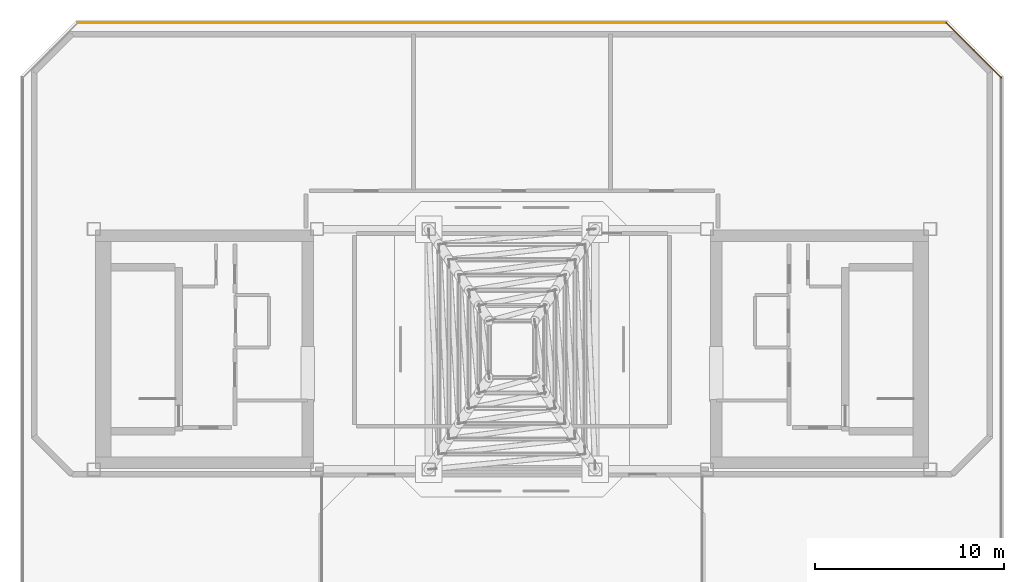
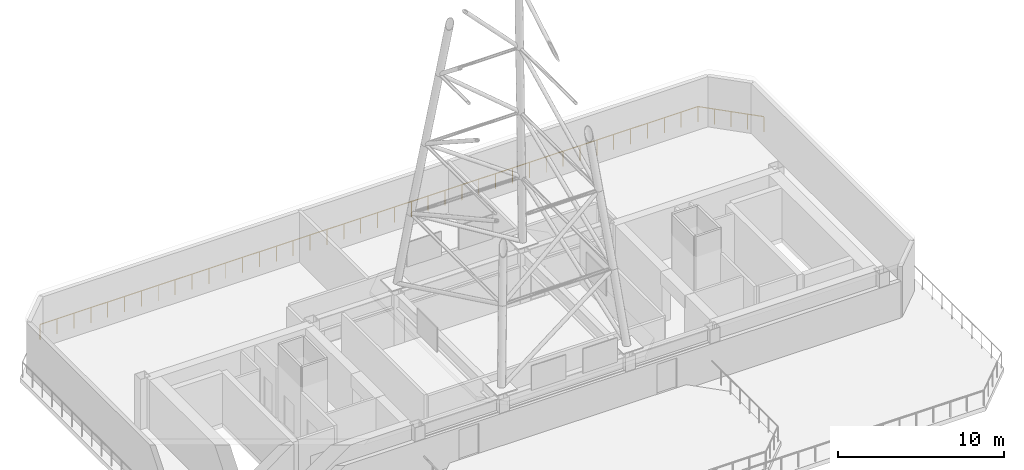
# One storey, part 7 of 7: 2 railings.
"""IFC4 building model written with IfcOpenShell, lengths in metres."""

from ifc_helpers import new_model, si_unit, direction, frame, origin, origin_2d, place, context, subcontext, project, spatial, rectangle, extrude, material, layer, layer_set, type_object, element, save


model = new_model("IFC4")

# Units and contexts
model_context = context("Model", 3, precision=1e-05, world=origin(), true_north=direction((0.0, 1.0)))
body_context = subcontext(model_context, "Body", "Model", "MODEL_VIEW")
ifc_project = project(units=[si_unit("LENGTHUNIT", "METRE"), si_unit("AREAUNIT", "SQUARE_METRE"), si_unit("VOLUMEUNIT", "CUBIC_METRE"), si_unit("PLANEANGLEUNIT", "RADIAN"), si_unit("MASSUNIT", "GRAM", prefix="KILO")], contexts=[model_context])

# Site, building, storey
site_placement = place(None, origin())
site = spatial("IfcSite", under=ifc_project, at=site_placement, CompositionType="ELEMENT")
building_placement = place(site_placement, origin())
building = spatial("IfcBuilding", under=site, at=building_placement, Name="Tavrogorsk Clinical Tower", CompositionType="ELEMENT")
storey_placement = place(building_placement, frame((0.0, 0.0, 357.0)))
storey = spatial("IfcBuildingStorey", under=building, at=storey_placement, Name="L83", CompositionType="ELEMENT", Elevation=357.0)

# Railings
ifc_material = material(Name="Galvanised steel S355 safety guardrail", Category="steel")
ifc_layer = layer(ifc_material, 0.080078125)
ifc_layer_set = layer_set([ifc_layer], Name="Galvanised steel S355 safety guardrail")
railing_type = type_object("IfcRailingType", Name="RoofEdgeGuardRailing_1150", PredefinedType="GUARDRAIL", material=ifc_layer_set)
railing_1_placement = place(storey_placement, frame((-22.94189453125, 17.260009765625, 0.0)))
element("IfcRailing", 1, at=railing_1_placement, inside=storey, type_object=railing_type, Name="L83 Helipad Terrace Perimeter Guard GD-02-04", PredefinedType="GUARDRAIL", context=body_context, shape_type="SweptSolid", body=[
    extrude(rectangle(XDim=0.048095703125, YDim=0.048095703125, at=origin_2d()), frame((0.0, 0.0, 1.1259765625), z_axis=(1.0, 0.0, 0.0), x_axis=(0.0, 1.0, 0.0)), (0.0, 0.0, 1.0), 45.8837890625),
    extrude(rectangle(XDim=0.0419921875, YDim=0.0419921875, at=origin_2d()), origin(), (0.0, 0.0, 1.0), 1.101806640625),
    extrude(rectangle(XDim=0.0419921875, YDim=0.0419921875, at=origin_2d()), frame((1.176513671875, 0.0, 0.0)), (0.0, 0.0, 1.0), 1.101806640625),
    extrude(rectangle(XDim=0.0419921875, YDim=0.0419921875, at=origin_2d()), frame((2.35302734375, 0.0, 0.0)), (0.0, 0.0, 1.0), 1.101806640625),
    extrude(rectangle(XDim=0.0419921875, YDim=0.0419921875, at=origin_2d()), frame((3.529541015625, 0.0, 0.0)), (0.0, 0.0, 1.0), 1.101806640625),
    extrude(rectangle(XDim=0.0419921875, YDim=0.0419921875, at=origin_2d()), frame((4.7060546875, 0.0, 0.0)), (0.0, 0.0, 1.0), 1.101806640625),
    extrude(rectangle(XDim=0.0419921875, YDim=0.0419921875, at=origin_2d()), frame((5.882568359375, 0.0, 0.0)), (0.0, 0.0, 1.0), 1.101806640625),
    extrude(rectangle(XDim=0.0419921875, YDim=0.0419921875, at=origin_2d()), frame((7.05908203125, 0.0, 0.0)), (0.0, 0.0, 1.0), 1.101806640625),
    extrude(rectangle(XDim=0.0419921875, YDim=0.0419921875, at=origin_2d()), frame((8.235595703125, 0.0, 0.0)), (0.0, 0.0, 1.0), 1.101806640625),
    extrude(rectangle(XDim=0.0419921875, YDim=0.0419921875, at=origin_2d()), frame((9.412109375, 0.0, 0.0)), (0.0, 0.0, 1.0), 1.101806640625),
    extrude(rectangle(XDim=0.0419921875, YDim=0.0419921875, at=origin_2d()), frame((10.588623046875, 0.0, 0.0)), (0.0, 0.0, 1.0), 1.101806640625),
    extrude(rectangle(XDim=0.0419921875, YDim=0.0419921875, at=origin_2d()), frame((11.76513671875, 0.0, 0.0)), (0.0, 0.0, 1.0), 1.101806640625),
    extrude(rectangle(XDim=0.0419921875, YDim=0.0419921875, at=origin_2d()), frame((12.941650390625, 0.0, 0.0)), (0.0, 0.0, 1.0), 1.101806640625),
    extrude(rectangle(XDim=0.0419921875, YDim=0.0419921875, at=origin_2d()), frame((14.1181640625, 0.0, 0.0)), (0.0, 0.0, 1.0), 1.101806640625),
    extrude(rectangle(XDim=0.0419921875, YDim=0.0419921875, at=origin_2d()), frame((15.294677734375, 0.0, 0.0)), (0.0, 0.0, 1.0), 1.101806640625),
    extrude(rectangle(XDim=0.0419921875, YDim=0.0419921875, at=origin_2d()), frame((16.47119140625, 0.0, 0.0)), (0.0, 0.0, 1.0), 1.101806640625),
    extrude(rectangle(XDim=0.0419921875, YDim=0.0419921875, at=origin_2d()), frame((17.647705078125, 0.0, 0.0)), (0.0, 0.0, 1.0), 1.101806640625),
    extrude(rectangle(XDim=0.0419921875, YDim=0.0419921875, at=origin_2d()), frame((18.82421875, 0.0, 0.0)), (0.0, 0.0, 1.0), 1.101806640625),
    extrude(rectangle(XDim=0.0419921875, YDim=0.0419921875, at=origin_2d()), frame((20.000732421875, 0.0, 0.0)), (0.0, 0.0, 1.0), 1.101806640625),
    extrude(rectangle(XDim=0.0419921875, YDim=0.0419921875, at=origin_2d()), frame((21.17724609375, 0.0, 0.0)), (0.0, 0.0, 1.0), 1.101806640625),
    extrude(rectangle(XDim=0.0419921875, YDim=0.0419921875, at=origin_2d()), frame((22.353759765625, 0.0, 0.0)), (0.0, 0.0, 1.0), 1.101806640625),
    extrude(rectangle(XDim=0.0419921875, YDim=0.0419921875, at=origin_2d()), frame((23.530029296875, 0.0, 0.0)), (0.0, 0.0, 1.0), 1.101806640625),
    extrude(rectangle(XDim=0.0419921875, YDim=0.0419921875, at=origin_2d()), frame((24.70654296875, 0.0, 0.0)), (0.0, 0.0, 1.0), 1.101806640625),
    extrude(rectangle(XDim=0.0419921875, YDim=0.0419921875, at=origin_2d()), frame((25.883056640625, 0.0, 0.0)), (0.0, 0.0, 1.0), 1.101806640625),
    extrude(rectangle(XDim=0.0419921875, YDim=0.0419921875, at=origin_2d()), frame((27.0595703125, 0.0, 0.0)), (0.0, 0.0, 1.0), 1.101806640625),
    extrude(rectangle(XDim=0.0419921875, YDim=0.0419921875, at=origin_2d()), frame((28.236083984375, 0.0, 0.0)), (0.0, 0.0, 1.0), 1.101806640625),
    extrude(rectangle(XDim=0.0419921875, YDim=0.0419921875, at=origin_2d()), frame((29.41259765625, 0.0, 0.0)), (0.0, 0.0, 1.0), 1.101806640625),
    extrude(rectangle(XDim=0.0419921875, YDim=0.0419921875, at=origin_2d()), frame((30.589111328125, 0.0, 0.0)), (0.0, 0.0, 1.0), 1.101806640625),
    extrude(rectangle(XDim=0.0419921875, YDim=0.0419921875, at=origin_2d()), frame((31.765625, 0.0, 0.0)), (0.0, 0.0, 1.0), 1.101806640625),
    extrude(rectangle(XDim=0.0419921875, YDim=0.0419921875, at=origin_2d()), frame((32.942138671875, 0.0, 0.0)), (0.0, 0.0, 1.0), 1.101806640625),
    extrude(rectangle(XDim=0.0419921875, YDim=0.0419921875, at=origin_2d()), frame((34.11865234375, 0.0, 0.0)), (0.0, 0.0, 1.0), 1.101806640625),
    extrude(rectangle(XDim=0.0419921875, YDim=0.0419921875, at=origin_2d()), frame((35.295166015625, 0.0, 0.0)), (0.0, 0.0, 1.0), 1.101806640625),
    extrude(rectangle(XDim=0.0419921875, YDim=0.0419921875, at=origin_2d()), frame((36.4716796875, 0.0, 0.0)), (0.0, 0.0, 1.0), 1.101806640625),
    extrude(rectangle(XDim=0.0419921875, YDim=0.0419921875, at=origin_2d()), frame((37.648193359375, 0.0, 0.0)), (0.0, 0.0, 1.0), 1.101806640625),
    extrude(rectangle(XDim=0.0419921875, YDim=0.0419921875, at=origin_2d()), frame((38.82470703125, 0.0, 0.0)), (0.0, 0.0, 1.0), 1.101806640625),
    extrude(rectangle(XDim=0.0419921875, YDim=0.0419921875, at=origin_2d()), frame((40.001220703125, 0.0, 0.0)), (0.0, 0.0, 1.0), 1.101806640625),
    extrude(rectangle(XDim=0.0419921875, YDim=0.0419921875, at=origin_2d()), frame((41.177734375, 0.0, 0.0)), (0.0, 0.0, 1.0), 1.101806640625),
    extrude(rectangle(XDim=0.0419921875, YDim=0.0419921875, at=origin_2d()), frame((42.354248046875, 0.0, 0.0)), (0.0, 0.0, 1.0), 1.101806640625),
    extrude(rectangle(XDim=0.0419921875, YDim=0.0419921875, at=origin_2d()), frame((43.53076171875, 0.0, 0.0)), (0.0, 0.0, 1.0), 1.101806640625),
    extrude(rectangle(XDim=0.0419921875, YDim=0.0419921875, at=origin_2d()), frame((44.707275390625, 0.0, 0.0)), (0.0, 0.0, 1.0), 1.101806640625),
    extrude(rectangle(XDim=0.0419921875, YDim=0.0419921875, at=origin_2d()), frame((45.8837890625, 0.0, 0.0)), (0.0, 0.0, 1.0), 1.101806640625),
])
railing_2_placement = place(storey_placement, frame((22.94189453125, 17.260009765625, 0.0)))
element("IfcRailing", 2, at=railing_2_placement, inside=storey, type_object=railing_type, Name="L83 Helipad Terrace Perimeter Guard GD-02-05", PredefinedType="GUARDRAIL", context=body_context, shape_type="SweptSolid", body=[
    extrude(rectangle(XDim=0.048095703125, YDim=0.048095703125, at=origin_2d()), frame((0.0, 0.0, 1.1259765625), z_axis=(0.707136360437, -0.707077200698, 0.0), x_axis=(0.707077200698, 0.707136360437, 0.0)), (0.0, 0.0, 1.0), 4.126708984375),
    extrude(rectangle(XDim=0.0419921875, YDim=0.0419921875, at=origin_2d()), origin(), (0.0, 0.0, 1.0), 1.101806640625),
    extrude(rectangle(XDim=0.0419921875, YDim=0.0419921875, at=origin_2d()), frame((0.7294921875, -0.7294921875, 0.0)), (0.0, 0.0, 1.0), 1.101806640625),
    extrude(rectangle(XDim=0.0419921875, YDim=0.0419921875, at=origin_2d()), frame((1.458984375, -1.458984375, 0.0)), (0.0, 0.0, 1.0), 1.101806640625),
    extrude(rectangle(XDim=0.0419921875, YDim=0.0419921875, at=origin_2d()), frame((2.188720703125, -2.1884765625, 0.0)), (0.0, 0.0, 1.0), 1.101806640625),
    extrude(rectangle(XDim=0.0419921875, YDim=0.0419921875, at=origin_2d()), frame((2.918212890625, -2.91796875, 0.0)), (0.0, 0.0, 1.0), 1.101806640625),
])

save(model, "model.ifc")
